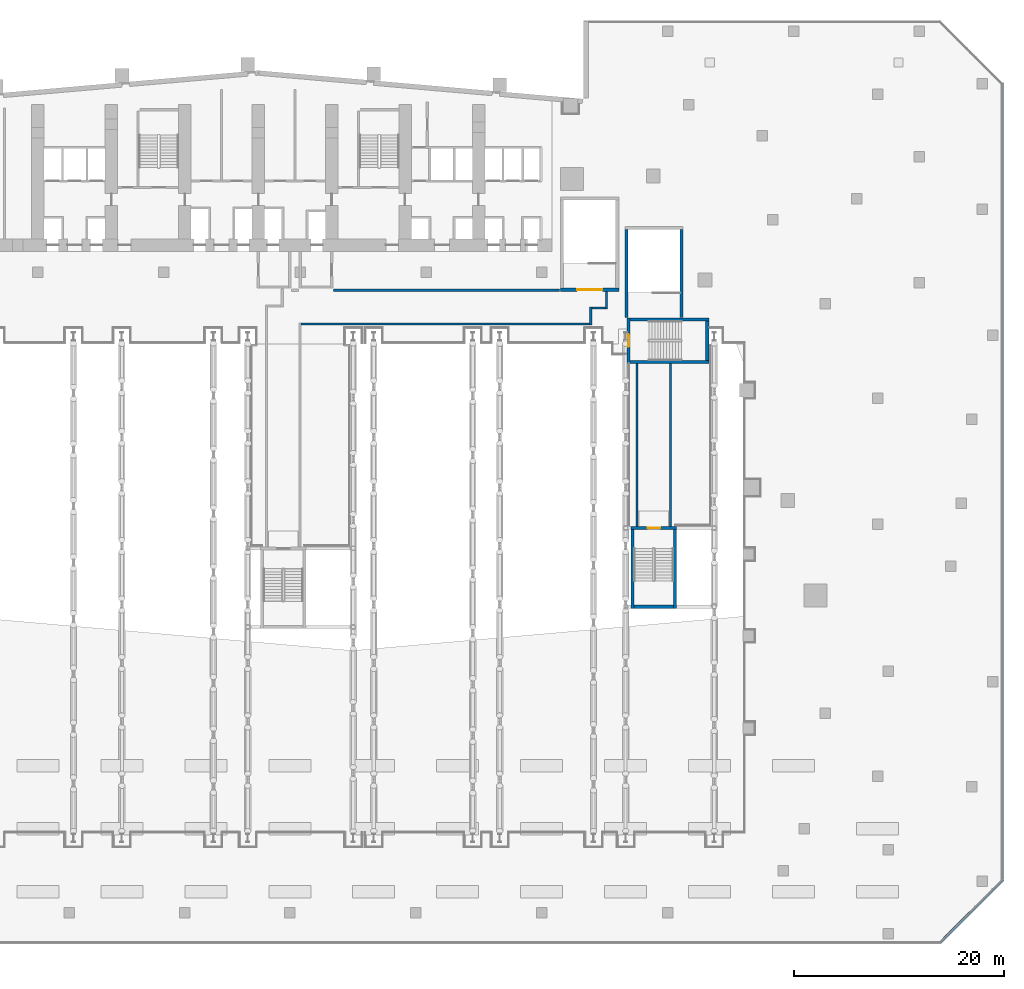
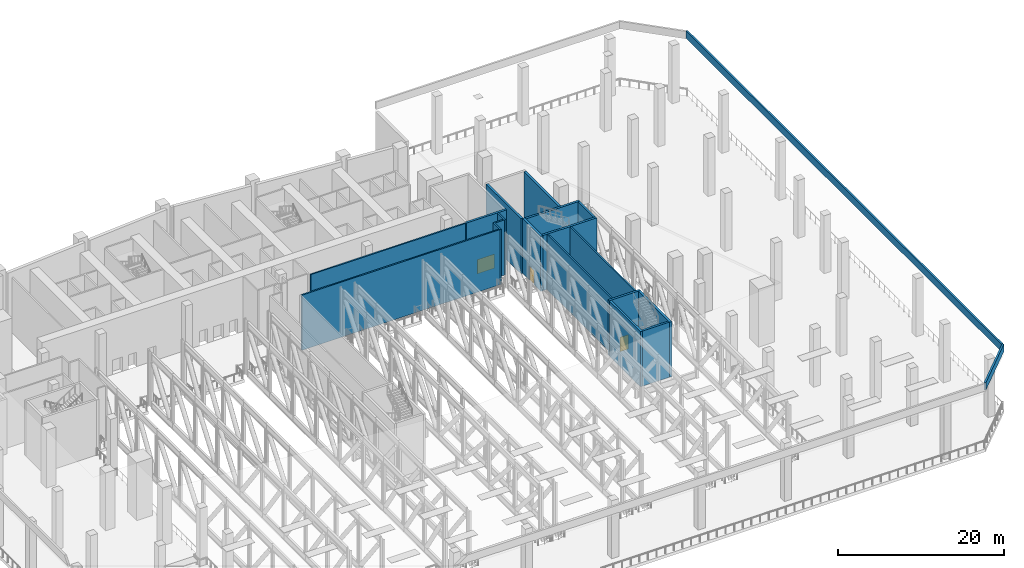
# One storey, part 11 of 33: 20 walls, 3 doors, 3 openings.
"""IFC4 building model written with IfcOpenShell, lengths in metres."""

from ifc_helpers import new_model, si_unit, direction, frame, frame_2d, origin, place, context, subcontext, project, spatial, rectangle, extrude, material, layer, layer_set, type_object, element, fill, save


model = new_model("IFC4")

# Units and contexts
model_context = context("Model", 3, precision=1e-05, world=origin(), true_north=direction((0.0, 1.0)))
body_context = subcontext(model_context, "Body", "Model", "MODEL_VIEW")
ifc_project = project(units=[si_unit("LENGTHUNIT", "METRE"), si_unit("AREAUNIT", "SQUARE_METRE"), si_unit("VOLUMEUNIT", "CUBIC_METRE"), si_unit("PLANEANGLEUNIT", "RADIAN"), si_unit("MASSUNIT", "GRAM", prefix="KILO")], contexts=[model_context])

# Site, building, storey
site_placement = place(None, origin())
site = spatial("IfcSite", under=ifc_project, at=site_placement, CompositionType="ELEMENT")
building_placement = place(site_placement, origin())
building = spatial("IfcBuilding", under=site, at=building_placement, Name="Wharfspan Tower", CompositionType="ELEMENT")
storey_placement = place(building_placement, frame((0.0, 0.0, 33.0)))
storey = spatial("IfcBuildingStorey", under=building, at=storey_placement, Name="L05", CompositionType="ELEMENT", Elevation=33.0)

# Walls
ifc_material_1 = material(Name="Concrete C40/50", Category="concrete")
ifc_layer_1 = layer(ifc_material_1, 0.25)
ifc_layer_set_1 = layer_set([ifc_layer_1], Name="Concrete C40/50")
wall_type_1 = type_object("IfcWallType", Name="PARAPET CONCRETE 250", PredefinedType="PARAPET", material=ifc_layer_set_1)
wall_1_placement = place(storey_placement, frame((107.875, -25.823242, 8.5), z_axis=(0.0, 0.0, 1.0), x_axis=(0.0, 1.0, 0.0)))
element("IfcWall", 1, at=wall_1_placement, inside=storey, type_object=wall_type_1, Name="Ledge parapet", PredefinedType="PARAPET", context=body_context, shape_type="SweptSolid", body=[
    extrude(rectangle(XDim=75.896484, YDim=0.25, at=frame_2d((37.948242, 0.0))), origin(), (0.0, 0.0, 1.0), 1.100098),
])
wall_2_placement = place(storey_placement, frame((102.036621, -31.786621, 8.5), z_axis=(0.0, 0.0, 1.0), x_axis=(0.707107, 0.707107, 0.0)))
element("IfcWall", 2, at=wall_2_placement, inside=storey, type_object=wall_type_1, Name="Ledge parapet", PredefinedType="PARAPET", context=body_context, shape_type="SweptSolid", body=[
    extrude(rectangle(XDim=8.381592, YDim=0.25, at=frame_2d((4.190918, 0.0))), origin(), (0.0, 0.0, 1.0), 1.100098),
])

# Wall, opening, door
ifc_layer_2 = layer(ifc_material_1, 0.300049)
ifc_layer_set_2 = layer_set([ifc_layer_2], Name="Concrete C40/50")
wall_type_2 = type_object("IfcWallType", Name="Podium stair core wall 300", PredefinedType="SHEAR", material=ifc_layer_set_2)
wall_3_placement = place(storey_placement, frame((65.800049, 30.350098, 0.0), z_axis=(0.0, 0.0, 1.0), x_axis=(1.0, 0.0, 0.0)))
wall_3 = element("IfcWall", 3, at=wall_3_placement, inside=storey, type_object=wall_type_2, Name="iw:L05:PS4S", PredefinedType="SHEAR", context=body_context, shape_type="SweptSolid", body=[
    extrude(rectangle(XDim=5.550049, YDim=0.300049, at=frame_2d((2.774902, 0.0))), origin(), (0.0, 0.0, 1.0), 8.100098),
])
opening_1_placement = place(wall_3_placement, frame((1.574951, 0.0, 0.0)))
opening_1 = element("IfcOpeningElement", 4, at=opening_1_placement, cuts=wall_3, Name="Opening SDPS4.L05", PredefinedType="OPENING", context=body_context, shape_type="SweptSolid", body=[
    extrude(rectangle(XDim=2.399902, YDim=2.100098, at=frame_2d((1.199951, 1.050049))), frame((0.0, 0.159912, 0.0), z_axis=(0.0, -1.0, 0.0), x_axis=(1.0, 0.0, 0.0)), (0.0, 0.0, 1.0), 0.320068),
])
ifc_material_2 = material(Name="Steel door leaf", Category="steel")
door_type_1 = type_object("IfcDoorType", Name="Podium stair door 2400x2100", OperationType="DOUBLE_DOOR_SINGLE_SWING", PredefinedType="DOOR", material=ifc_material_2)
door_1_placement = place(opening_1_placement, origin())
door_1 = element("IfcDoor", 5, at=door_1_placement, inside=storey, type_object=door_type_1, Name="id:L05:PS4", OperationType="DOUBLE_DOOR_SINGLE_SWING", OverallHeight=2.100098, OverallWidth=2.399902, PredefinedType="DOOR", context=body_context, shape_type="SweptSolid", body=[
    extrude(rectangle(XDim=2.399902, YDim=2.100098, at=frame_2d((1.199951, 1.050049))), frame((0.0, 0.024902, 0.0), z_axis=(0.0, -1.0, 0.0), x_axis=(1.0, 0.0, 0.0)), (0.0, 0.0, 1.0), 0.050049),
])
fill(opening_1, door_1)

# Walls
for number, where, z_axis, x_axis, name in (
    (6, (72.067383, 27.699951, 0.0), (0.0, 0.0, 1.0), (0.0, 1.0, 0.0), "iw:L05:PS5W"),
    (7, (77.317383, 27.699951, 0.0), (0.0, 0.0, 1.0), (0.0, 1.0, 0.0), "iw:L05:PS5E"),
):
    element("IfcWall", number, at=place(storey_placement, frame(where, z_axis=z_axis, x_axis=x_axis)), inside=storey, type_object=wall_type_2, Name=name, PredefinedType="SHEAR", context=body_context, shape_type="SweptSolid", body=[
        extrude(rectangle(XDim=8.400146, YDim=0.300049, at=frame_2d((4.200195, 0.0))), origin(), (0.0, 0.0, 1.0), 8.100098),
    ])
ifc_material_3 = material(Name="Concrete C30/37", Category="concrete")
ifc_layer_3 = layer(ifc_material_3, 0.199951)
ifc_layer_set_3 = layer_set([ifc_layer_3], Name="Concrete C30/37")
wall_type_3 = type_object("IfcWallType", Name="Protected corridor wall 200", PredefinedType="PARTITIONING", material=ifc_layer_set_3)
wall_4_placement = place(storey_placement, frame((70.175049, 28.5, 0.0), z_axis=(0.0, 0.0, 1.0), x_axis=(0.0, 1.0, 0.0)))
element("IfcWall", 8, at=wall_4_placement, inside=storey, type_object=wall_type_3, Name="iw:L05:PC4:5", PredefinedType="PARTITIONING", context=body_context, shape_type="SweptSolid", body=[
    extrude(rectangle(XDim=1.679932, YDim=0.199951, at=frame_2d((0.839844, 0.0))), origin(), (0.0, 0.0, 1.0), 8.100098),
])
wall_5_placement = place(storey_placement, frame((68.774902, 28.600098, 0.0), z_axis=(0.0, 0.0, 1.0), x_axis=(1.0, 0.0, 0.0)))
element("IfcWall", 9, at=wall_5_placement, inside=storey, type_object=wall_type_3, Name="iw:L05:PC4:6", PredefinedType="PARTITIONING", context=body_context, shape_type="SweptSolid", body=[
    extrude(rectangle(XDim=1.300049, YDim=0.199951, at=frame_2d((0.649902, 0.0))), origin(), (0.0, 0.0, 1.0), 8.100098),
])
wall_6_placement = place(storey_placement, frame((68.675049, 27.0, 0.0), z_axis=(0.0, 0.0, 1.0), x_axis=(0.0, 1.0, 0.0)))
element("IfcWall", 10, at=wall_6_placement, inside=storey, type_object=wall_type_3, Name="iw:L05:PC4:7", PredefinedType="PARTITIONING", context=body_context, shape_type="SweptSolid", body=[
    extrude(rectangle(XDim=1.699951, YDim=0.199951, at=frame_2d((0.850098, 0.0))), origin(), (0.0, 0.0, 1.0), 8.100098),
])
wall_7_placement = place(storey_placement, frame((41.083008, 27.100098, 0.0), z_axis=(0.0, 0.0, 1.0), x_axis=(1.0, 0.0, 0.0)))
element("IfcWall", 11, at=wall_7_placement, inside=storey, type_object=wall_type_3, Name="iw:L05:PC4:8", PredefinedType="PARTITIONING", context=body_context, shape_type="SweptSolid", body=[
    extrude(rectangle(XDim=27.491943, YDim=0.199951, at=frame_2d((13.746094, 0.0))), origin(), (0.0, 0.0, 1.0), 8.100098),
])
for number, where, z_axis, x_axis, name in (
    (12, (73.092041, 7.812012, 0.0), (0.0, 0.0, 1.0), (0.0, 1.0, 0.0), "iw:L05:PC5:1"),
    (13, (76.291992, 7.812012, 0.0), (0.0, 0.0, 1.0), (0.0, 1.0, 0.0), "iw:L05:PC5:2"),
):
    element("IfcWall", number, at=place(storey_placement, frame(where, z_axis=z_axis, x_axis=x_axis)), inside=storey, type_object=wall_type_3, Name=name, PredefinedType="PARTITIONING", context=body_context, shape_type="SweptSolid", body=[
        extrude(rectangle(XDim=15.49292, YDim=0.199951, at=frame_2d((7.746582, 0.0))), origin(), (0.0, 0.0, 1.0), 8.100098),
    ])
wall_8_placement = place(storey_placement, frame((44.149902, 30.300049, 0.0), z_axis=(0.0, 0.0, 1.0), x_axis=(1.0, 0.0, 0.0)))
element("IfcWall", 14, at=wall_8_placement, inside=storey, type_object=wall_type_3, Name="iw:L05:PC4:4 (2)", PredefinedType="PARTITIONING", context=body_context, shape_type="SweptSolid", body=[
    extrude(rectangle(XDim=21.530029, YDim=0.199951, at=frame_2d((10.765137, 0.0))), origin(), (0.0, 0.0, 1.0), 8.100098),
])

# Wall, opening, door
ifc_layer_4 = layer(ifc_material_1, 0.300049)
ifc_layer_set_4 = layer_set([ifc_layer_4], Name="Concrete C40/50")
wall_type_4 = type_object("IfcWallType", Name="Stair core wall 300", PredefinedType="SHEAR", material=ifc_layer_set_4)
wall_9_placement = place(storey_placement, frame((72.517578, 7.64209, 0.0), z_axis=(0.0, 0.0, 1.0), x_axis=(1.0, 0.0, 0.0)))
wall_9 = element("IfcWall", 15, at=wall_9_placement, inside=storey, type_object=wall_type_4, Name="ST5 stair enclosure wall L05", PredefinedType="SHEAR", context=body_context, shape_type="SweptSolid", body=[
    extrude(rectangle(XDim=4.349854, YDim=0.300049, at=frame_2d((2.174805, 0.0))), origin(), (0.0, 0.0, 1.0), 8.100098),
])
opening_2_placement = place(wall_9_placement, frame((1.574951, 0.0, 0.0)))
opening_2 = element("IfcOpeningElement", 16, at=opening_2_placement, cuts=wall_9, Name="Opening SD5.L05", PredefinedType="OPENING", context=body_context, shape_type="SweptSolid", body=[
    extrude(rectangle(XDim=1.199951, YDim=2.100098, at=frame_2d((0.600098, 1.050049))), frame((0.0, 0.159912, 0.0), z_axis=(0.0, -1.0, 0.0), x_axis=(1.0, 0.0, 0.0)), (0.0, 0.0, 1.0), 0.320068),
])
door_type_2 = type_object("IfcDoorType", Name="Stair door 1200x2100", OperationType="SINGLE_SWING_LEFT", PredefinedType="DOOR", material=ifc_material_2)
door_2_placement = place(opening_2_placement, origin())
door_2 = element("IfcDoor", 17, at=door_2_placement, inside=storey, type_object=door_type_2, Name="sd:L05:ST5z1", OperationType="SINGLE_SWING_RIGHT", OverallHeight=2.100098, OverallWidth=1.199951, PredefinedType="DOOR", context=body_context, shape_type="SweptSolid", body=[
    extrude(rectangle(XDim=1.199951, YDim=2.100098, at=frame_2d((0.600098, 1.050049))), frame((0.0, 0.024902, 0.0), z_axis=(0.0, -1.0, 0.0), x_axis=(1.0, 0.0, 0.0)), (0.0, 0.0, 1.0), 0.050049),
])
fill(opening_2, door_2)

wall_10_placement = place(storey_placement, frame((72.274902, 23.324951, 0.0), z_axis=(0.0, 0.0, 1.0), x_axis=(0.0, 1.0, 0.0)))
wall_10 = element("IfcWall", 18, at=wall_10_placement, inside=storey, type_object=wall_type_4, Name="ST6 stair enclosure wall L05", PredefinedType="SHEAR", context=body_context, shape_type="SweptSolid", body=[
    extrude(rectangle(XDim=4.350098, YDim=0.300049, at=frame_2d((2.175049, 0.0))), origin(), (0.0, 0.0, 1.0), 8.100098),
])
opening_3_placement = place(wall_10_placement, frame((1.574951, 0.0, 0.0)))
opening_3 = element("IfcOpeningElement", 19, at=opening_3_placement, cuts=wall_10, Name="Opening SD6.L05", PredefinedType="OPENING", context=body_context, shape_type="SweptSolid", body=[
    extrude(rectangle(XDim=1.199951, YDim=2.100098, at=frame_2d((0.600098, 1.050049))), frame((0.0, 0.159912, 0.0), z_axis=(0.0, -1.0, 0.0), x_axis=(1.0, 0.0, 0.0)), (0.0, 0.0, 1.0), 0.320068),
])
door_3_placement = place(opening_3_placement, origin())
door_3 = element("IfcDoor", 20, at=door_3_placement, inside=storey, type_object=door_type_2, Name="sd:L05:ST6z1", OperationType="SINGLE_SWING_RIGHT", OverallHeight=2.100098, OverallWidth=1.199951, PredefinedType="DOOR", context=body_context, shape_type="SweptSolid", body=[
    extrude(rectangle(XDim=1.199951, YDim=2.100098, at=frame_2d((0.600098, 1.050049))), frame((0.0, 0.024902, 0.0), z_axis=(0.0, -1.0, 0.0), x_axis=(1.0, 0.0, 0.0)), (0.0, 0.0, 1.0), 0.050049),
])
fill(opening_3, door_3)

# Walls
for number, where, z_axis, x_axis, name in (
    (21, (72.66748, -0.008057, 0.0), (0.0, 0.0, 1.0), (0.0, 1.0, 0.0), "ST5 stair enclosure wall L05"),
    (22, (76.717529, -0.008057, 0.0), (0.0, 0.0, 1.0), (0.0, 1.0, 0.0), "ST5 stair enclosure wall L05"),
):
    element("IfcWall", number, at=place(storey_placement, frame(where, z_axis=z_axis, x_axis=x_axis)), inside=storey, type_object=wall_type_4, Name=name, PredefinedType="SHEAR", context=body_context, shape_type="SweptSolid", body=[
        extrude(rectangle(XDim=7.5, YDim=0.300049, at=frame_2d((3.75, 0.0))), origin(), (0.0, 0.0, 1.0), 8.100098),
    ])
wall_11_placement = place(storey_placement, frame((72.817383, 0.14209, 0.0), z_axis=(0.0, 0.0, 1.0), x_axis=(1.0, 0.0, 0.0)))
element("IfcWall", 23, at=wall_11_placement, inside=storey, type_object=wall_type_4, Name="ST5 stair enclosure wall L05", PredefinedType="SHEAR", context=body_context, shape_type="SweptSolid", body=[
    extrude(rectangle(XDim=3.75, YDim=0.300049, at=frame_2d((1.875, 0.0))), origin(), (0.0, 0.0, 1.0), 8.100098),
])
for number, where, z_axis, x_axis, name in (
    (24, (72.425049, 23.475098, 0.0), (0.0, 0.0, 1.0), (1.0, 0.0, 0.0), "ST6 stair enclosure wall L05"),
    (25, (72.425049, 27.524902, 0.0), (0.0, 0.0, 1.0), (1.0, 0.0, 0.0), "ST6 stair enclosure wall L05"),
):
    element("IfcWall", number, at=place(storey_placement, frame(where, z_axis=z_axis, x_axis=x_axis)), inside=storey, type_object=wall_type_4, Name=name, PredefinedType="SHEAR", context=body_context, shape_type="SweptSolid", body=[
        extrude(rectangle(XDim=7.5, YDim=0.300049, at=frame_2d((3.75, 0.0))), origin(), (0.0, 0.0, 1.0), 8.100098),
    ])
wall_12_placement = place(storey_placement, frame((79.774902, 23.625, 0.0), z_axis=(0.0, 0.0, 1.0), x_axis=(0.0, 1.0, 0.0)))
element("IfcWall", 26, at=wall_12_placement, inside=storey, type_object=wall_type_4, Name="ST6 stair enclosure wall L05", PredefinedType="SHEAR", context=body_context, shape_type="SweptSolid", body=[
    extrude(rectangle(XDim=3.75, YDim=0.300049, at=frame_2d((1.875, 0.0))), origin(), (0.0, 0.0, 1.0), 8.100098),
])

save(model, "model.ifc")
